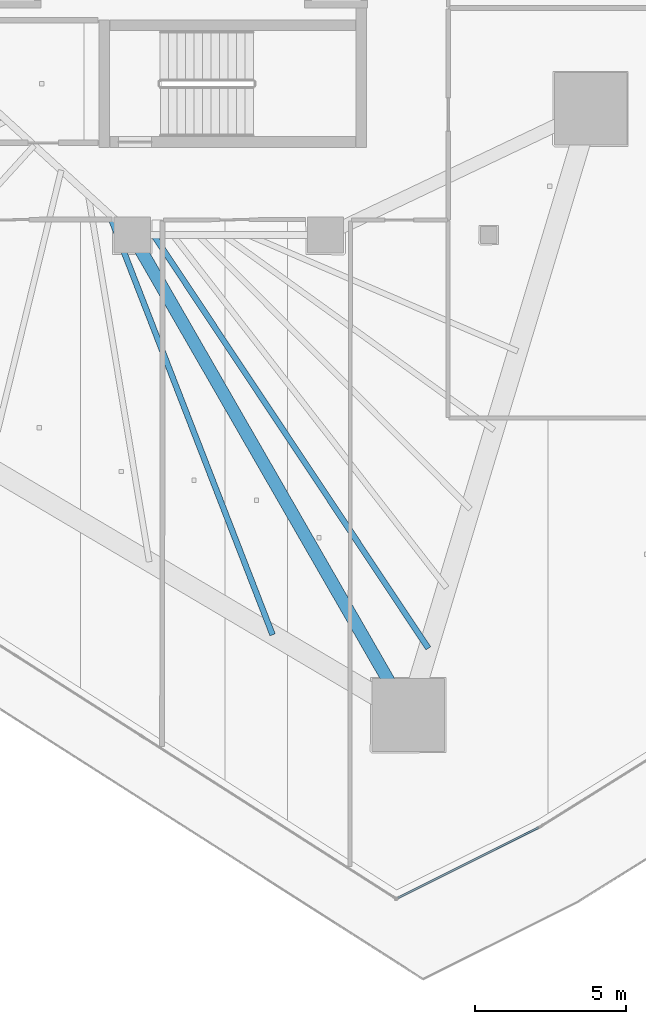
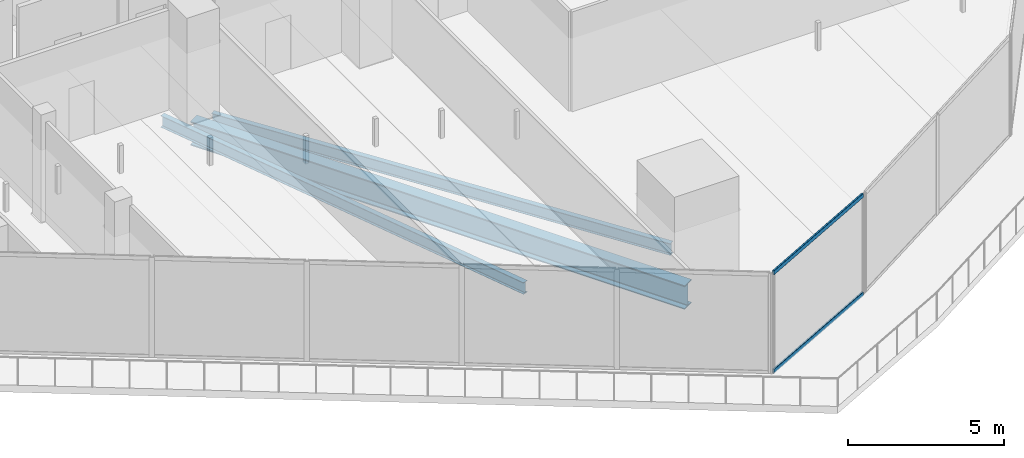
# One storey, part 8 of 44: 3 beams, 2 members, 1 element without a shape of its own.
"""IFC4 building model written with IfcOpenShell, lengths in metres."""

from ifc_helpers import new_model, si_unit, direction, frame, origin, origin_2d, place, context, subcontext, project, spatial, hollow_rectangle, i_section, extrude, material, layer, layer_set, material_profile, profile_set, type_object, element, aggregate, save


model = new_model("IFC4")

# Units and contexts
model_context = context("Model", 3, precision=1e-05, world=origin(), true_north=direction((0.0, 1.0)))
body_context = subcontext(model_context, "Body", "Model", "MODEL_VIEW")
ifc_project = project(units=[si_unit("LENGTHUNIT", "METRE"), si_unit("AREAUNIT", "SQUARE_METRE"), si_unit("VOLUMEUNIT", "CUBIC_METRE"), si_unit("PLANEANGLEUNIT", "RADIAN"), si_unit("MASSUNIT", "GRAM", prefix="KILO")], contexts=[model_context])

# Site, building, storey
site_placement = place(None, origin())
site = spatial("IfcSite", under=ifc_project, at=site_placement, CompositionType="ELEMENT")
building_placement = place(site_placement, origin())
building = spatial("IfcBuilding", under=site, at=building_placement, Name="Qorvath Tower", CompositionType="ELEMENT")
storey_placement = place(building_placement, frame((0.0, 0.0, 53.39990234375)))
storey = spatial("IfcBuildingStorey", under=building, at=storey_placement, Name="L11", CompositionType="ELEMENT", Elevation=53.39990234375)

# Beams
ifc_material_1 = material(Name="Steel ASTM A992 Grade 50", Category="steel")
ifc_material_profile_1 = material_profile(ifc_material_1, i_section(OverallWidth=0.422119140625, OverallDepth=0.93310546875, WebThickness=0.021240234375, FlangeThickness=0.039794921875, FilletRadius=0.02392578125, at=origin_2d()), Name="W36x262")
ifc_profile_set_1 = profile_set([ifc_material_profile_1], Name="Steel ASTM A992 Grade 50")
beam_type_1 = type_object("IfcBeamType", Name="BM-FG1", PredefinedType="BEAM", material=ifc_profile_set_1)
beam_1_placement = place(storey_placement, frame((-23.60009765625, -11.449951171875, -0.746337890625), z_axis=(0.498645367714, -0.866806089767, 0.0), x_axis=(0.866806089767, 0.498645367714, 0.0)))
element("IfcBeam", 1, at=beam_1_placement, inside=storey, type_object=beam_type_1, Name="Radial Floor Girder CC4-MC3 L11", PredefinedType="BEAM", context=body_context, shape_type="SweptSolid", body=[
    extrude(i_section(OverallWidth=0.422119140625, OverallDepth=0.93310546875, WebThickness=0.021240234375, FlangeThickness=0.039794921875, FilletRadius=0.02392578125, at=origin_2d()), origin(), (0.0, 0.0, 1.0), 18.321044921875),
])
ifc_material_2 = material(Name="Steel ASTM A992 Grade 50", Category="steel")
ifc_material_profile_2 = material_profile(ifc_material_2, i_section(OverallWidth=0.18994140625, OverallDepth=0.45703125, WebThickness=0.009033203125, FlangeThickness=0.014404296875, FilletRadius=0.011962890625, at=origin_2d()), Name="W18x50")
ifc_profile_set_2 = profile_set([ifc_material_profile_2], Name="Steel ASTM A992 Grade 50")
beam_type_2 = type_object("IfcBeamType", Name="BM-FJ2", PredefinedType="JOIST", material=ifc_profile_set_2)
beam_2_placement = place(storey_placement, frame((-22.89599609375, -11.449951171875, -0.50830078125), z_axis=(0.553811384989, -0.83264214994, 0.0), x_axis=(0.83264214994, 0.553811384989, 0.0)))
element("IfcBeam", 2, at=beam_2_placement, inside=storey, type_object=beam_type_2, Name="Composite Floor Joist SE7 L11", PredefinedType="JOIST", context=body_context, shape_type="SweptSolid", body=[
    extrude(i_section(OverallWidth=0.18994140625, OverallDepth=0.45703125, WebThickness=0.009033203125, FlangeThickness=0.014404296875, FilletRadius=0.011962890625, at=origin_2d()), origin(), (0.0, 0.0, 1.0), 16.42333984375),
])
beam_3_placement = place(storey_placement, frame((-24.35888671875, -10.757080078125, -0.50830078125), z_axis=(0.361964096586, -0.93219203643, 0.0), x_axis=(0.93219203643, 0.361964096586, 0.0)))
element("IfcBeam", 3, at=beam_3_placement, inside=storey, type_object=beam_type_2, Name="Composite Floor Joist SW7 L11", PredefinedType="JOIST", context=body_context, shape_type="SweptSolid", body=[
    extrude(i_section(OverallWidth=0.18994140625, OverallDepth=0.45703125, WebThickness=0.009033203125, FlangeThickness=0.014404296875, FilletRadius=0.011962890625, at=origin_2d()), origin(), (0.0, 0.0, 1.0), 14.93115234375),
])

# Curtain wall, members
ifc_material_3 = material(Name="Anodised aluminium and triple low-E glass", Category="aluminium")
ifc_layer = layer(ifc_material_3, 0.179931640625)
ifc_layer_set = layer_set([ifc_layer], Name="CW-SYS-2")
curtain_wall_type = type_object("IfcCurtainWallType", Name="CW-SYS-2", PredefinedType="NOTDEFINED", material=ifc_layer_set)
curtain_wall_placement = place(storey_placement, origin())
curtain_wall = element("IfcCurtainWall", 4, at=curtain_wall_placement, inside=storey, type_object=curtain_wall_type, Name="Curtain Wall CW-2 CW-T-L11-3.1", PredefinedType="NOTDEFINED")
ifc_material_4 = material(Name="Anodised aluminium 6063-T6", Category="aluminium")
ifc_material_profile_3 = material_profile(ifc_material_4, hollow_rectangle(XDim=0.06494140625, YDim=0.159912109375, WallThickness=0.00341796875, InnerFilletRadius=0.00341796875, OuterFilletRadius=0.007080078125, at=origin_2d()), Name="CWT 160x65")
ifc_profile_set_3 = profile_set([ifc_material_profile_3], Name="Anodised aluminium 6063-T6")
member_type = type_object("IfcMemberType", Name="CWT-160", PredefinedType="USERDEFINED", material=ifc_profile_set_3)
member_1_placement = place(storey_placement, frame((-14.805908203125, -33.37890625, 0.032470703125), z_axis=(0.894408431647, 0.447251112239, 0.0), x_axis=(-0.447251112239, 0.894408431647, 0.0)))
member_1 = element("IfcMember", 5, at=member_1_placement, type_object=member_type, Name="CW-2 transom 1.1", ObjectType="TRANSOM", PredefinedType="USERDEFINED", context=body_context, shape_type="SweptSolid", body=[
    extrude(hollow_rectangle(XDim=0.06494140625, YDim=0.159912109375, WallThickness=0.00341796875, InnerFilletRadius=0.00341796875, OuterFilletRadius=0.007080078125, at=origin_2d()), origin(), (0.0, 0.0, 1.0), 5.2060546875),
])
member_2_placement = place(storey_placement, frame((-14.805908203125, -33.37890625, 3.8876953125), z_axis=(0.894408431647, 0.447251112239, 0.0), x_axis=(-0.447251112239, 0.894408431647, 0.0)))
member_2 = element("IfcMember", 6, at=member_2_placement, type_object=member_type, Name="CW-2 transom 1.2", ObjectType="TRANSOM", PredefinedType="USERDEFINED", context=body_context, shape_type="SweptSolid", body=[
    extrude(hollow_rectangle(XDim=0.06494140625, YDim=0.159912109375, WallThickness=0.00341796875, InnerFilletRadius=0.00341796875, OuterFilletRadius=0.007080078125, at=origin_2d()), origin(), (0.0, 0.0, 1.0), 5.2060546875),
])
aggregate(curtain_wall, [member_1, member_2])

save(model, "model.ifc")
